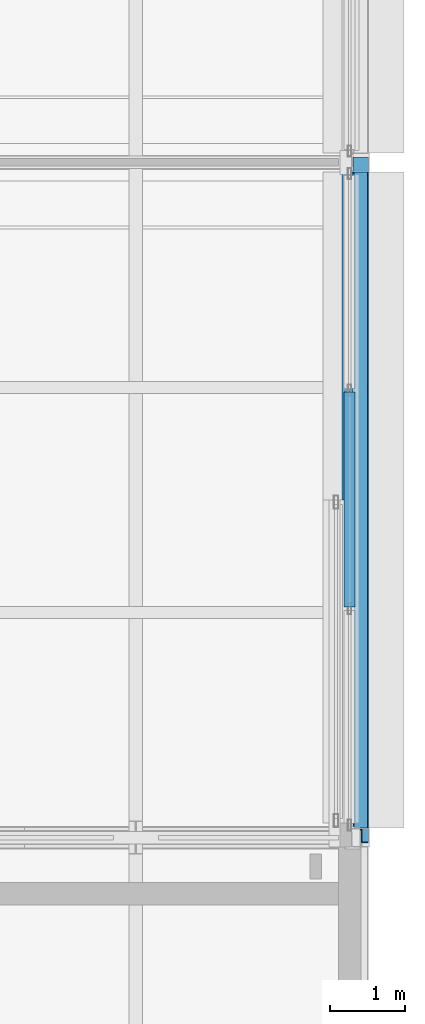
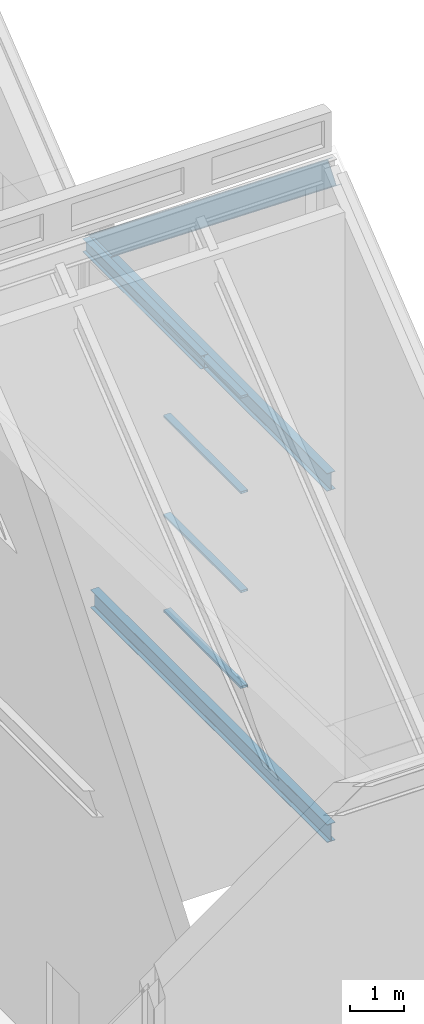
# One storey, part 72 of 144: 5 members, 3 beams, 1 element without a shape of its own.
"""IFC4 building model written with IfcOpenShell, lengths in metres."""

import ifcopenshell
import ifcopenshell.guid

model = None  # the IFC model being written
_history = None  # IfcOwnerHistory: only IFC2X3 demands one
_inside = {}  # id of a spatial element -> (the spatial element, [elements in it])
_under = {}  # id of a project, library or spatial element -> (it, [spatial elements below it])
_declared = {}  # id of a project -> (the project, [libraries it declares])
_typed = {}  # id of a type object -> (the type object, [elements of that type])
_made_of = {}  # id of a material, layer set ... -> (it, [elements and type objects made of it])


def new_model(schema):
    """Start an empty IFC model of exactly this schema.

    Asked for "IFC4X3", IfcOpenShell would pick the latest addendum, in which some entities
    have other attributes; the version numbers below select the first issue.
    IFC2X3 requires an IfcOwnerHistory on every rooted entity: one is made here for all.
    """
    global model, _history
    if schema == "IFC4X3":
        model = ifcopenshell.file(schema_version=(4, 3, 0, 0))
    else:
        model = ifcopenshell.file(schema=schema)
    _inside.clear()
    _under.clear()
    _declared.clear()
    _typed.clear()
    _made_of.clear()
    _history = None
    if model.schema == "IFC2X3":
        org = make("IfcOrganization", Name="unknown")
        user = make(
            "IfcPersonAndOrganization",
            ThePerson=make("IfcPerson", FamilyName="unknown"),
            TheOrganization=org,
        )
        app = make(
            "IfcApplication",
            ApplicationDeveloper=org,
            Version="unknown",
            ApplicationFullName="unknown",
            ApplicationIdentifier="unknown",
        )
        _history = make(
            "IfcOwnerHistory",
            OwningUser=user,
            OwningApplication=app,
            ChangeAction="ADDED",
            CreationDate=0,
        )
    return model


def make(cls, **values):
    """One entity of the class cls with the attributes given. An attribute that is None is left unset."""
    return model.create_entity(
        cls, **{name: value for name, value in values.items() if value is not None}
    )


def rooted(cls, **values):
    """An entity with a GlobalId (a new one), such as an element, a storey or a relation."""
    return make(cls, GlobalId=ifcopenshell.guid.new(), OwnerHistory=_history, **values)


def si_unit(unit_type, name, prefix=None):
    """IfcSIUnit, for example si_unit("LENGTHUNIT", "METRE", prefix="MILLI")."""
    return make("IfcSIUnit", UnitType=unit_type, Prefix=prefix, Name=name)


def assignment(units):
    """IfcUnitAssignment: the units of a project."""
    return None if units is None else make("IfcUnitAssignment", Units=units)


def point(xyz):
    """IfcCartesianPoint."""
    return None if xyz is None else make("IfcCartesianPoint", Coordinates=xyz)


def direction(xyz):
    """IfcDirection."""
    return None if xyz is None else make("IfcDirection", DirectionRatios=xyz)


def frame(location, z_axis=None, x_axis=None):
    """IfcAxis2Placement3D, a coordinate frame: its origin and axes. An axis left out is left unset."""
    return make(
        "IfcAxis2Placement3D",
        Location=point(location),
        Axis=direction(z_axis),
        RefDirection=direction(x_axis),
    )


def frame_2d(location, x_axis=None):
    """IfcAxis2Placement2D, a coordinate frame in the plane: its origin and x axis."""
    return make(
        "IfcAxis2Placement2D", Location=point(location), RefDirection=direction(x_axis)
    )


def origin():
    """The frame at (0, 0, 0) with its axes left unset."""
    return frame((0.0, 0.0, 0.0))


def origin_2d():
    """The frame at (0, 0) in the plane with its x axis left unset."""
    return frame_2d((0.0, 0.0))


def place(relative_to, where):
    """IfcLocalPlacement: puts the frame where relative to a parent placement (None: the world)."""
    return make(
        "IfcLocalPlacement", PlacementRelTo=relative_to, RelativePlacement=where
    )


def context(
    kind, dimensions, precision=None, world=None, true_north=None, identifier=None
):
    """IfcGeometricRepresentationContext, for example the 3D "Model" context."""
    return make(
        "IfcGeometricRepresentationContext",
        ContextIdentifier=identifier,
        ContextType=kind,
        CoordinateSpaceDimension=dimensions,
        Precision=precision,
        WorldCoordinateSystem=world,
        TrueNorth=true_north,
    )


def subcontext(parent, identifier, kind, view, scale=None):
    """IfcGeometricRepresentationSubContext, for example "Body" below "Model"."""
    return make(
        "IfcGeometricRepresentationSubContext",
        ContextIdentifier=identifier,
        ContextType=kind,
        ParentContext=parent,
        TargetScale=scale,
        TargetView=view,
    )


def project(units=None, contexts=None):
    """IfcProject with its units and contexts."""
    return rooted(
        "IfcProject",
        Name="project",
        RepresentationContexts=contexts,
        UnitsInContext=assignment(units),
    )


def spatial(cls, under=None, at=None, **own):
    """A site, building, storey or space (cls), placed at a placement, below another one or the project."""
    s = rooted(cls, ObjectPlacement=at, **own)
    if under is not None:
        _under.setdefault(under.id(), (under, []))[1].append(s)
    return s


def profile(cls, at=None, kind="AREA", **sizes):
    """A parametric profile (cls). Its sizes go by their IFC names, for example OverallWidth=200.0."""
    return make(cls, ProfileType=kind, Position=at, **sizes)


def hollow_rectangle(**sizes):
    """IfcRectangleHollowProfileDef."""
    return profile("IfcRectangleHollowProfileDef", **sizes)


def i_section(**sizes):
    """IfcIShapeProfileDef."""
    return profile("IfcIShapeProfileDef", **sizes)


def extrude(swept, where, along, depth):
    """IfcExtrudedAreaSolid: the profile swept, set in the frame where, extruded along a direction by depth."""
    return make(
        "IfcExtrudedAreaSolid",
        SweptArea=swept,
        Position=where,
        ExtrudedDirection=direction(along),
        Depth=depth,
    )


def shape(context_of_items, identifier, shape_type, items):
    """IfcShapeRepresentation: the items that make up one representation, for example the "Body"."""
    return make(
        "IfcShapeRepresentation",
        ContextOfItems=context_of_items,
        RepresentationIdentifier=identifier,
        RepresentationType=shape_type,
        Items=items,
    )


def material(Name=None, Category=None):
    """IfcMaterial."""
    return make("IfcMaterial", Name=Name, Category=Category)


def layer(
    of_material, thickness, ventilated=None, Name=None, Category=None, Priority=None
):
    """IfcMaterialLayer: one layer of a wall or slab, of a material (None: an air gap)."""
    return make(
        "IfcMaterialLayer",
        Material=of_material,
        LayerThickness=thickness,
        IsVentilated=ventilated,
        Name=Name,
        Category=Category,
        Priority=Priority,
    )


def layer_set(layers, Name=None):
    """IfcMaterialLayerSet."""
    return make("IfcMaterialLayerSet", MaterialLayers=layers, LayerSetName=Name)


def material_profile(
    of_material, cross_section, Name=None, Category=None, Priority=None
):
    """IfcMaterialProfile: a cross section and its material."""
    return make(
        "IfcMaterialProfile",
        Name=Name,
        Material=of_material,
        Profile=cross_section,
        Priority=Priority,
        Category=Category,
    )


def profile_set(profiles, Name=None, composite=None):
    """IfcMaterialProfileSet."""
    return make(
        "IfcMaterialProfileSet",
        Name=Name,
        MaterialProfiles=profiles,
        CompositeProfile=composite,
    )


def made_of(thing, what):
    """Note that an element or type object is made of a material, layer set ...; save() writes the relation."""
    if what is not None:
        _made_of.setdefault(what.id(), (what, []))[1].append(thing)
    return thing


def type_object(cls, material=None, **own):
    """A type object (cls), such as IfcWallType, which elements share."""
    return made_of(rooted(cls, **own), material)


def element(
    cls,
    number,
    at=None,
    inside=None,
    cuts=None,
    type_object=None,
    material=None,
    context=None,
    identifier="Body",
    shape_type=None,
    held_by="IfcProductDefinitionShape",
    body=None,
    shapes=None,
    **own,
):
    """One element of the class cls, such as IfcWall. Its Tag is "e" and its number.

    at: its placement. inside: the storey or other place that contains it. cuts: it is an
    opening in that element (IfcRelVoidsElement). A single representation is given by context,
    identifier, shape_type and body (its items); several are given by shapes. held_by: the class
    of the entity that holds the representations. save() writes the other relations.
    """
    e = rooted(cls, Tag="e%d" % number, ObjectPlacement=at, **own)
    if body is not None:
        shapes = [shape(context, identifier, shape_type, body)]
    if shapes is not None:
        e.Representation = make(held_by, Representations=shapes)
    if inside is not None:
        _inside.setdefault(inside.id(), (inside, []))[1].append(e)
    if cuts is not None:
        rooted(
            "IfcRelVoidsElement", RelatingBuildingElement=cuts, RelatedOpeningElement=e
        )
    if type_object is not None:
        _typed.setdefault(type_object.id(), (type_object, []))[1].append(e)
    return made_of(e, material)


def aggregate(whole, parts):
    """IfcRelAggregates: a whole, such as a stair, and the parts it consists of."""
    return rooted("IfcRelAggregates", RelatingObject=whole, RelatedObjects=parts)


def save(model, path):
    """Write the relations noted so far, then the file.

    IfcRelAggregates (storeys below a building ...), IfcRelContainedInSpatialStructure (elements
    in a storey), IfcRelDefinesByType, IfcRelAssociatesMaterial and IfcRelDeclares: one each for
    every whole, place, type object, material and project.
    """
    for whole, parts in _under.values():
        aggregate(whole, parts)
    for where, things in _inside.values():
        rooted(
            "IfcRelContainedInSpatialStructure",
            RelatedElements=things,
            RelatingStructure=where,
        )
    for kind, things in _typed.values():
        rooted("IfcRelDefinesByType", RelatedObjects=things, RelatingType=kind)
    for what, things in _made_of.values():
        rooted("IfcRelAssociatesMaterial", RelatedObjects=things, RelatingMaterial=what)
    for by, libraries in _declared.values():
        rooted("IfcRelDeclares", RelatingContext=by, RelatedDefinitions=libraries)
    model.write(path)


model = new_model("IFC4")

# Units and contexts
model_context = context("Model", 3, precision=1e-05, world=origin(), true_north=direction((0.0, 1.0)))
body_context = subcontext(model_context, "Body", "Model", "MODEL_VIEW")
ifc_project = project(units=[si_unit("LENGTHUNIT", "METRE"), si_unit("AREAUNIT", "SQUARE_METRE"), si_unit("VOLUMEUNIT", "CUBIC_METRE"), si_unit("PLANEANGLEUNIT", "RADIAN"), si_unit("MASSUNIT", "GRAM", prefix="KILO")], contexts=[model_context])

# Site, building, storey
site_placement = place(None, origin())
site = spatial("IfcSite", under=ifc_project, at=site_placement, CompositionType="ELEMENT")
building_placement = place(site_placement, origin())
building = spatial("IfcBuilding", under=site, at=building_placement, Name="Shorebreak Coast Museum", CompositionType="ELEMENT")
storey_placement = place(building_placement, frame((0.0, 0.0, 36.0)))
storey = spatial("IfcBuildingStorey", under=building, at=storey_placement, Name="L06", CompositionType="ELEMENT", Elevation=36.0)

# Beam
ifc_material_1 = material(Name="Steel Grade 300", Category="steel")
ifc_material_profile_1 = material_profile(ifc_material_1, i_section(OverallWidth=0.177978515625, OverallDepth=0.406494140625, WebThickness=0.0078125, FlangeThickness=0.0126953125, FilletRadius=0.011474609375, at=origin_2d()), Name="410UB59.7")
ifc_profile_set_1 = profile_set([ifc_material_profile_1], Name="Steel Grade 300")
beam_type_1 = type_object("IfcBeamType", Name="Floor girder north-south 410UB59.7", PredefinedType="BEAM", material=ifc_profile_set_1)
beam_1_placement = place(storey_placement, frame((117.0, 63.125, -0.378173828125), z_axis=(0.0, 1.0, 0.0), x_axis=(-1.0, 0.0, 0.0)))
element("IfcBeam", 1, at=beam_1_placement, inside=storey, type_object=beam_type_1, Name="Floor girder north-south L06 14H", PredefinedType="BEAM", context=body_context, shape_type="SweptSolid", body=[
    extrude(i_section(OverallWidth=0.177978515625, OverallDepth=0.406494140625, WebThickness=0.0078125, FlangeThickness=0.0126953125, FilletRadius=0.011474609375, at=origin_2d()), origin(), (0.0, 0.0, 1.0), 8.75),
])

# Member
ifc_material_2 = material(Name="Steel Grade 300", Category="steel")
ifc_material_profile_2 = material_profile(ifc_material_2, i_section(OverallWidth=0.208984375, OverallDepth=0.5283203125, WebThickness=0.009521484375, FlangeThickness=0.01318359375, FilletRadius=0.013916015625, at=origin_2d()), Name="530UB82.0")
ifc_profile_set_2 = profile_set([ifc_material_profile_2], Name="Steel Grade 300")
member_type_1 = type_object("IfcMemberType", Name="Fold rib rafter 530UB82.0", PredefinedType="RAFTER", material=ifc_profile_set_2)
member_1_placement = place(storey_placement, frame((117.0, 63.094970703125, 14.52978515625), z_axis=(0.0, 0.780866698312, -0.624697686459), x_axis=(-1.0, 0.0, 0.0)))
element("IfcMember", 2, at=member_1_placement, inside=storey, type_object=member_type_1, Name="Fold rib rafter FOLD-X line 2 22", PredefinedType="RAFTER", context=body_context, shape_type="SweptSolid", body=[
    extrude(i_section(OverallWidth=0.208984375, OverallDepth=0.5283203125, WebThickness=0.009521484375, FlangeThickness=0.01318359375, FilletRadius=0.013916015625, at=origin_2d()), origin(), (0.0, 0.0, 1.0), 11.282470703125),
])

# Beams
ifc_material_3 = material(Name="Steel Grade 300", Category="steel")
ifc_material_profile_3 = material_profile(ifc_material_3, i_section(OverallWidth=0.177978515625, OverallDepth=0.402587890625, WebThickness=0.007568359375, FlangeThickness=0.010986328125, FilletRadius=0.011474609375, at=origin_2d()), Name="410UB53.7")
ifc_profile_set_3 = profile_set([ifc_material_profile_3], Name="Steel Grade 300")
beam_type_2 = type_object("IfcBeamType", Name="Fold rib tie 410UB53.7", PredefinedType="BEAM", material=ifc_profile_set_3)
beam_2_placement = place(storey_placement, frame((117.0, 63.125, 7.54248046875), z_axis=(0.0, 1.0, 0.0), x_axis=(-1.0, 0.0, 0.0)))
element("IfcBeam", 3, at=beam_2_placement, inside=storey, type_object=beam_type_2, Name="Fold rib tie FOLD-X rib 14 H-J", PredefinedType="BEAM", context=body_context, shape_type="SweptSolid", body=[
    extrude(i_section(OverallWidth=0.177978515625, OverallDepth=0.402587890625, WebThickness=0.007568359375, FlangeThickness=0.010986328125, FilletRadius=0.011474609375, at=origin_2d()), origin(), (0.0, 0.0, 1.0), 8.75),
])
ifc_material_4 = material(Name="Steel Grade 300", Category="steel")
ifc_material_profile_4 = material_profile(ifc_material_4, i_section(OverallWidth=0.14892578125, OverallDepth=0.298095703125, WebThickness=0.005615234375, FlangeThickness=0.008056640625, FilletRadius=0.012939453125, at=origin_2d()), Name="310UB32.0")
ifc_profile_set_4 = profile_set([ifc_material_profile_4], Name="Steel Grade 300")
beam_type_3 = type_object("IfcBeamType", Name="Gable base beam 310UB32.0", PredefinedType="BEAM", material=ifc_profile_set_4)
beam_3_placement = place(storey_placement, frame((116.820068359375, 67.5, 7.65087890625), z_axis=(0.0, 1.0, 0.0), x_axis=(-1.0, 0.0, 0.0)))
element("IfcBeam", 4, at=beam_3_placement, inside=storey, type_object=beam_type_3, Name="Gable base beam FOLD-X x 117 part 1", PredefinedType="BEAM", context=body_context, shape_type="SweptSolid", body=[
    extrude(i_section(OverallWidth=0.14892578125, OverallDepth=0.298095703125, WebThickness=0.005615234375, FlangeThickness=0.008056640625, FilletRadius=0.012939453125, at=origin_2d()), origin(), (0.0, 0.0, 1.0), 4.375),
])

# Curtain wall, members
ifc_material_5 = material(Name="Aluminium", Category="aluminium")
ifc_layer = layer(ifc_material_5, 0.14990234375)
ifc_layer_set = layer_set([ifc_layer], Name="Aluminium")
curtain_wall_type = type_object("IfcCurtainWallType", Name="Storefront curtain wall", PredefinedType="NOTDEFINED", material=ifc_layer_set)
curtain_wall_placement = place(storey_placement, origin())
curtain_wall = element("IfcCurtainWall", 5, at=curtain_wall_placement, inside=storey, type_object=curtain_wall_type, Name="Atrium Hall glazing L06 E 20", PredefinedType="NOTDEFINED")
ifc_material_6 = material(Name="Aluminium", Category="aluminium")
ifc_material_profile_5 = material_profile(ifc_material_6, hollow_rectangle(XDim=0.14990234375, YDim=0.050048828125, WallThickness=0.00390625, at=origin_2d()), Name="AL 50x150 RHS")
ifc_profile_set_5 = profile_set([ifc_material_profile_5], Name="Aluminium")
member_type_2 = type_object("IfcMemberType", Name="Storefront transom 150 x 50", PredefinedType="USERDEFINED", material=ifc_profile_set_5)
member_2_placement = place(storey_placement, frame((116.85009765625, 66.075927734375, 1.175048828125), z_axis=(0.0, 1.0, 0.0), x_axis=(-1.0, 0.0, 0.0)))
member_2 = element("IfcMember", 6, at=member_2_placement, type_object=member_type_2, Name="CW5 transom 2.1", ObjectType="TRANSOM", PredefinedType="USERDEFINED", context=body_context, shape_type="SweptSolid", body=[
    extrude(hollow_rectangle(XDim=0.14990234375, YDim=0.050048828125, WallThickness=0.00390625, at=origin_2d()), origin(), (0.0, 0.0, 1.0), 2.862060546875),
])
member_3_placement = place(storey_placement, frame((116.85009765625, 66.075927734375, 3.333251953125), z_axis=(0.0, 1.0, 0.0), x_axis=(-1.0, 0.0, 0.0)))
member_3 = element("IfcMember", 7, at=member_3_placement, type_object=member_type_2, Name="CW5 transom 2.2", ObjectType="TRANSOM", PredefinedType="USERDEFINED", context=body_context, shape_type="SweptSolid", body=[
    extrude(hollow_rectangle(XDim=0.14990234375, YDim=0.050048828125, WallThickness=0.00390625, at=origin_2d()), origin(), (0.0, 0.0, 1.0), 2.862060546875),
])
member_4_placement = place(storey_placement, frame((116.85009765625, 66.075927734375, 5.566650390625), z_axis=(0.0, 1.0, 0.0), x_axis=(-1.0, 0.0, 0.0)))
member_4 = element("IfcMember", 8, at=member_4_placement, type_object=member_type_2, Name="CW5 transom 2.3", ObjectType="TRANSOM", PredefinedType="USERDEFINED", context=body_context, shape_type="SweptSolid", body=[
    extrude(hollow_rectangle(XDim=0.14990234375, YDim=0.050048828125, WallThickness=0.00390625, at=origin_2d()), origin(), (0.0, 0.0, 1.0), 2.862060546875),
])
member_5_placement = place(storey_placement, frame((116.85009765625, 66.075927734375, 7.72509765625), z_axis=(0.0, 1.0, 0.0), x_axis=(-1.0, 0.0, 0.0)))
member_5 = element("IfcMember", 9, at=member_5_placement, type_object=member_type_2, Name="CW5 transom 2.4", ObjectType="TRANSOM", PredefinedType="USERDEFINED", context=body_context, shape_type="SweptSolid", body=[
    extrude(hollow_rectangle(XDim=0.14990234375, YDim=0.050048828125, WallThickness=0.00390625, at=origin_2d()), origin(), (0.0, 0.0, 1.0), 2.862060546875),
])
aggregate(curtain_wall, [member_2, member_3, member_4, member_5])

save(model, "model.ifc")
